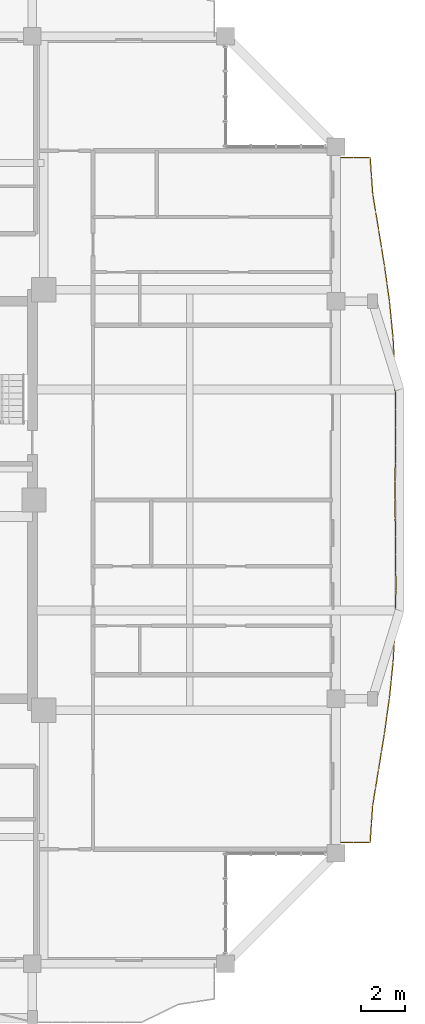
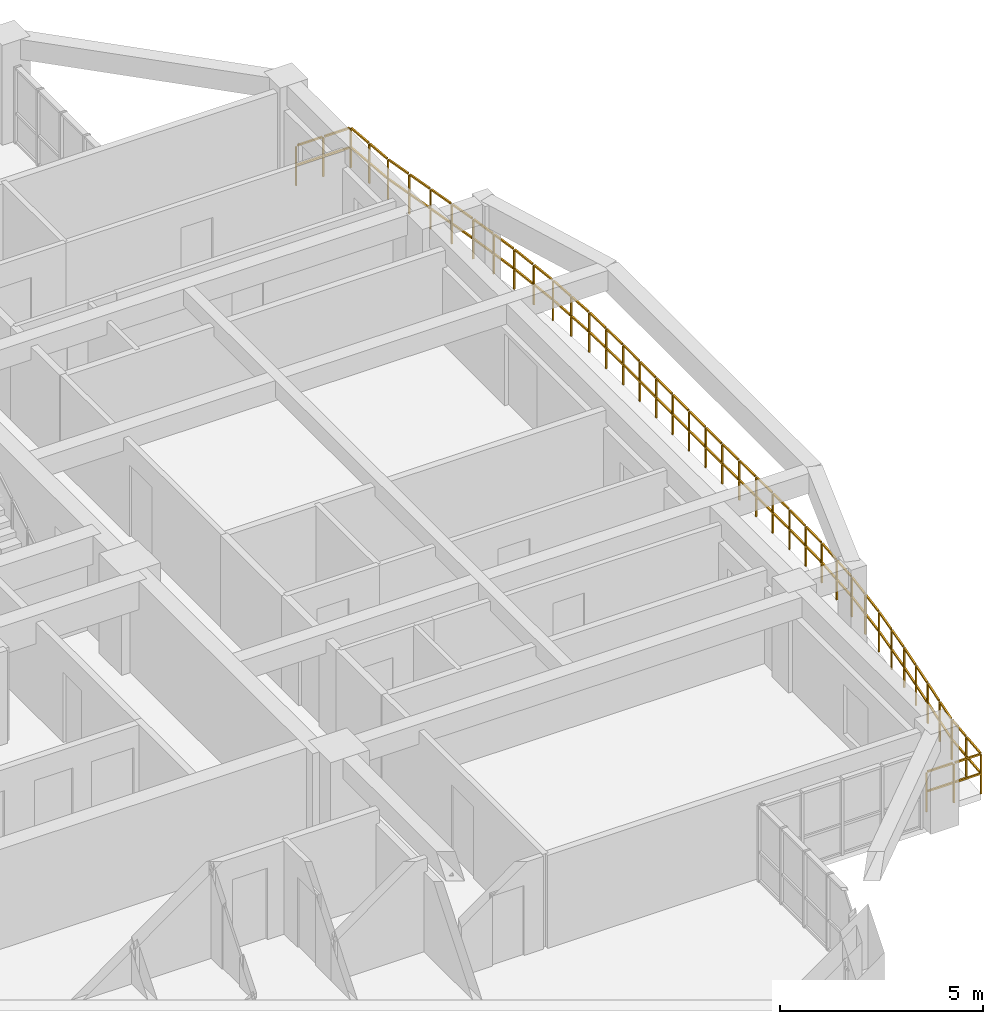
# One storey, part 20 of 21: 1 railing.
"""IFC4 building model written with IfcOpenShell, lengths in metres."""

from ifc_helpers import new_model, si_unit, direction, frame, origin, origin_2d, place, context, subcontext, project, spatial, rectangle, extrude, material, type_object, element, save


model = new_model("IFC4")

# Units and contexts
model_context = context("Model", 3, precision=1e-05, world=origin(), true_north=direction((0.0, 1.0)))
body_context = subcontext(model_context, "Body", "Model", "MODEL_VIEW")
ifc_project = project(units=[si_unit("LENGTHUNIT", "METRE"), si_unit("AREAUNIT", "SQUARE_METRE"), si_unit("VOLUMEUNIT", "CUBIC_METRE"), si_unit("PLANEANGLEUNIT", "RADIAN"), si_unit("MASSUNIT", "GRAM", prefix="KILO")], contexts=[model_context])

# Site, building, storey
site_placement = place(None, origin())
site = spatial("IfcSite", under=ifc_project, at=site_placement, CompositionType="ELEMENT")
building_placement = place(site_placement, origin())
building = spatial("IfcBuilding", under=site, at=building_placement, Name="Saelheon Loggia Tower", CompositionType="ELEMENT")
storey_placement = place(building_placement, frame((0.0, 0.0, 186.699951171875)))
storey = spatial("IfcBuildingStorey", under=building, at=storey_placement, Name="L58", CompositionType="ELEMENT", Elevation=186.699951171875)

# Railing
ifc_material = material(Name="Architectural Precast Concrete and Laminated Glass Guard", Category="concrete")
railing_type = type_object("IfcRailingType", Name="Guard_Loggia_RL_LOG", PredefinedType="BALUSTRADE", material=ifc_material)
railing_placement = place(storey_placement, frame((58.25, 11.5, 0.0)))
element("IfcRailing", 1, at=railing_placement, inside=storey, type_object=railing_type, Name="L58 East Loggia Balustrade", PredefinedType="BALUSTRADE", context=body_context, shape_type="SweptSolid", body=[
    extrude(rectangle(XDim=0.048095703125, YDim=0.048095703125, at=origin_2d()), frame((0.033203125, 0.0, 1.19580078125), z_axis=(1.0, 0.0, 0.0), x_axis=(0.0, 1.0, 0.0)), (0.0, 0.0, 1.0), 0.70849609375),
    extrude(rectangle(XDim=0.048095703125, YDim=0.048095703125, at=origin_2d()), frame((0.033203125, 0.0, 0.60986328125), z_axis=(1.0, 0.0, 0.0), x_axis=(0.0, 1.0, 0.0)), (0.0, 0.0, 1.0), 0.70849609375),
    extrude(rectangle(XDim=0.048095703125, YDim=0.048095703125, at=origin_2d()), frame((0.808349609375, 0.0, 1.19580078125), z_axis=(1.0, 0.0, 0.0), x_axis=(0.0, 1.0, 0.0)), (0.0, 0.0, 1.0), 0.70849609375),
    extrude(rectangle(XDim=0.048095703125, YDim=0.048095703125, at=origin_2d()), frame((0.808349609375, 0.0, 0.60986328125), z_axis=(1.0, 0.0, 0.0), x_axis=(0.0, 1.0, 0.0)), (0.0, 0.0, 1.0), 0.70849609375),
    extrude(rectangle(XDim=0.048095703125, YDim=0.048095703125, at=origin_2d()), frame((1.55224609375, 0.033203125, 1.19580078125), z_axis=(0.067628741853, 0.99771055586, 0.0), x_axis=(-0.99771055586, 0.067628741853, 0.0)), (0.0, 0.0, 1.0), 0.751220703125),
    extrude(rectangle(XDim=0.048095703125, YDim=0.048095703125, at=origin_2d()), frame((1.55224609375, 0.033203125, 0.60986328125), z_axis=(0.067628741853, 0.99771055586, 0.0), x_axis=(-0.99771055586, 0.067628741853, 0.0)), (0.0, 0.0, 1.0), 0.751220703125),
    extrude(rectangle(XDim=0.048095703125, YDim=0.048095703125, at=origin_2d()), frame((1.607666015625, 0.848876953125, 1.19580078125), z_axis=(0.067628741853, 0.99771055586, 0.0), x_axis=(-0.99771055586, 0.067628741853, 0.0)), (0.0, 0.0, 1.0), 0.751220703125),
    extrude(rectangle(XDim=0.048095703125, YDim=0.048095703125, at=origin_2d()), frame((1.607666015625, 0.848876953125, 0.60986328125), z_axis=(0.067628741853, 0.99771055586, 0.0), x_axis=(-0.99771055586, 0.067628741853, 0.0)), (0.0, 0.0, 1.0), 0.751220703125),
    extrude(rectangle(XDim=0.048095703125, YDim=0.048095703125, at=origin_2d()), frame((1.666015625, 1.664306640625, 1.19580078125), z_axis=(0.160110055306, 0.98709916938, 0.0), x_axis=(-0.98709916938, 0.160110055306, 0.0)), (0.0, 0.0, 1.0), 0.760009765625),
    extrude(rectangle(XDim=0.048095703125, YDim=0.048095703125, at=origin_2d()), frame((1.666015625, 1.664306640625, 0.60986328125), z_axis=(0.160110055306, 0.98709916938, 0.0), x_axis=(-0.98709916938, 0.160110055306, 0.0)), (0.0, 0.0, 1.0), 0.760009765625),
    extrude(rectangle(XDim=0.048095703125, YDim=0.048095703125, at=origin_2d()), frame((1.79833984375, 2.480224609375, 1.19580078125), z_axis=(0.160110055306, 0.98709916938, 0.0), x_axis=(-0.98709916938, 0.160110055306, 0.0)), (0.0, 0.0, 1.0), 0.760009765625),
    extrude(rectangle(XDim=0.048095703125, YDim=0.048095703125, at=origin_2d()), frame((1.79833984375, 2.480224609375, 0.60986328125), z_axis=(0.160110055306, 0.98709916938, 0.0), x_axis=(-0.98709916938, 0.160110055306, 0.0)), (0.0, 0.0, 1.0), 0.760009765625),
    extrude(rectangle(XDim=0.048095703125, YDim=0.048095703125, at=origin_2d()), frame((1.9306640625, 3.2958984375, 1.19580078125), z_axis=(0.161117220902, 0.986935277072, 0.0), x_axis=(-0.986935277072, 0.161117220902, 0.0)), (0.0, 0.0, 1.0), 0.760009765625),
    extrude(rectangle(XDim=0.048095703125, YDim=0.048095703125, at=origin_2d()), frame((1.9306640625, 3.2958984375, 0.60986328125), z_axis=(0.161117220902, 0.986935277072, 0.0), x_axis=(-0.986935277072, 0.161117220902, 0.0)), (0.0, 0.0, 1.0), 0.760009765625),
    extrude(rectangle(XDim=0.048095703125, YDim=0.048095703125, at=origin_2d()), frame((2.063720703125, 4.11181640625, 1.19580078125), z_axis=(0.161117220902, 0.986935277072, 0.0), x_axis=(-0.986935277072, 0.161117220902, 0.0)), (0.0, 0.0, 1.0), 0.760009765625),
    extrude(rectangle(XDim=0.048095703125, YDim=0.048095703125, at=origin_2d()), frame((2.063720703125, 4.11181640625, 0.60986328125), z_axis=(0.161117220902, 0.986935277072, 0.0), x_axis=(-0.986935277072, 0.161117220902, 0.0)), (0.0, 0.0, 1.0), 0.760009765625),
    extrude(rectangle(XDim=0.048095703125, YDim=0.048095703125, at=origin_2d()), frame((2.1962890625, 4.927734375, 1.19580078125), z_axis=(0.140010734184, 0.990149985766, 0.0), x_axis=(-0.990149985766, 0.140010734184, 0.0)), (0.0, 0.0, 1.0), 0.75732421875),
    extrude(rectangle(XDim=0.048095703125, YDim=0.048095703125, at=origin_2d()), frame((2.1962890625, 4.927734375, 0.60986328125), z_axis=(0.140010734184, 0.990149985766, 0.0), x_axis=(-0.990149985766, 0.140010734184, 0.0)), (0.0, 0.0, 1.0), 0.75732421875),
    extrude(rectangle(XDim=0.048095703125, YDim=0.048095703125, at=origin_2d()), frame((2.311767578125, 5.743408203125, 1.19580078125), z_axis=(0.140010734184, 0.990149985766, 0.0), x_axis=(-0.990149985766, 0.140010734184, 0.0)), (0.0, 0.0, 1.0), 0.75732421875),
    extrude(rectangle(XDim=0.048095703125, YDim=0.048095703125, at=origin_2d()), frame((2.311767578125, 5.743408203125, 0.60986328125), z_axis=(0.140010734184, 0.990149985766, 0.0), x_axis=(-0.990149985766, 0.140010734184, 0.0)), (0.0, 0.0, 1.0), 0.75732421875),
    extrude(rectangle(XDim=0.048095703125, YDim=0.048095703125, at=origin_2d()), frame((2.42578125, 6.559326171875, 1.19580078125), z_axis=(0.101228042651, 0.994863248583, 0.0), x_axis=(-0.994863248583, 0.101228042651, 0.0)), (0.0, 0.0, 1.0), 0.75341796875),
    extrude(rectangle(XDim=0.048095703125, YDim=0.048095703125, at=origin_2d()), frame((2.42578125, 6.559326171875, 0.60986328125), z_axis=(0.101228042651, 0.994863248583, 0.0), x_axis=(-0.994863248583, 0.101228042651, 0.0)), (0.0, 0.0, 1.0), 0.75341796875),
    extrude(rectangle(XDim=0.048095703125, YDim=0.048095703125, at=origin_2d()), frame((2.5087890625, 7.375244140625, 1.19580078125), z_axis=(0.101228042651, 0.994863248583, 0.0), x_axis=(-0.994863248583, 0.101228042651, 0.0)), (0.0, 0.0, 1.0), 0.75341796875),
    extrude(rectangle(XDim=0.048095703125, YDim=0.048095703125, at=origin_2d()), frame((2.5087890625, 7.375244140625, 0.60986328125), z_axis=(0.101228042651, 0.994863248583, 0.0), x_axis=(-0.994863248583, 0.101228042651, 0.0)), (0.0, 0.0, 1.0), 0.75341796875),
    extrude(rectangle(XDim=0.048095703125, YDim=0.048095703125, at=origin_2d()), frame((2.59033203125, 8.191162109375, 1.19580078125), z_axis=(0.056024393999, 0.998429400247, 0.0), x_axis=(-0.998429400247, 0.056024393999, 0.0)), (0.0, 0.0, 1.0), 0.750732421875),
    extrude(rectangle(XDim=0.048095703125, YDim=0.048095703125, at=origin_2d()), frame((2.59033203125, 8.191162109375, 0.60986328125), z_axis=(0.056024393999, 0.998429400247, 0.0), x_axis=(-0.998429400247, 0.056024393999, 0.0)), (0.0, 0.0, 1.0), 0.750732421875),
    extrude(rectangle(XDim=0.048095703125, YDim=0.048095703125, at=origin_2d()), frame((2.635986328125, 9.0068359375, 1.19580078125), z_axis=(0.056024393999, 0.998429400247, 0.0), x_axis=(-0.998429400247, 0.056024393999, 0.0)), (0.0, 0.0, 1.0), 0.750732421875),
    extrude(rectangle(XDim=0.048095703125, YDim=0.048095703125, at=origin_2d()), frame((2.635986328125, 9.0068359375, 0.60986328125), z_axis=(0.056024393999, 0.998429400247, 0.0), x_axis=(-0.998429400247, 0.056024393999, 0.0)), (0.0, 0.0, 1.0), 0.750732421875),
    extrude(rectangle(XDim=0.048095703125, YDim=0.048095703125, at=origin_2d()), frame((2.680419921875, 9.82275390625, 1.19580078125), z_axis=(0.017354860032, 0.999849393075, 0.0), x_axis=(-0.999849393075, 0.017354860032, 0.0)), (0.0, 0.0, 1.0), 0.74951171875),
    extrude(rectangle(XDim=0.048095703125, YDim=0.048095703125, at=origin_2d()), frame((2.680419921875, 9.82275390625, 0.60986328125), z_axis=(0.017354860032, 0.999849393075, 0.0), x_axis=(-0.999849393075, 0.017354860032, 0.0)), (0.0, 0.0, 1.0), 0.74951171875),
    extrude(rectangle(XDim=0.048095703125, YDim=0.048095703125, at=origin_2d()), frame((2.694580078125, 10.638671875, 1.19580078125), z_axis=(0.017354860032, 0.999849393075, 0.0), x_axis=(-0.999849393075, 0.017354860032, 0.0)), (0.0, 0.0, 1.0), 0.74951171875),
    extrude(rectangle(XDim=0.048095703125, YDim=0.048095703125, at=origin_2d()), frame((2.694580078125, 10.638671875, 0.60986328125), z_axis=(0.017354860032, 0.999849393075, 0.0), x_axis=(-0.999849393075, 0.017354860032, 0.0)), (0.0, 0.0, 1.0), 0.74951171875),
    extrude(rectangle(XDim=0.048095703125, YDim=0.048095703125, at=origin_2d()), frame((2.7080078125, 11.454345703125, 1.19580078125), z_axis=(-0.005237880856, 0.999986282208, 0.0), x_axis=(-0.999986282208, -0.005237880856, 0.0)), (0.0, 0.0, 1.0), 0.749267578125),
    extrude(rectangle(XDim=0.048095703125, YDim=0.048095703125, at=origin_2d()), frame((2.7080078125, 11.454345703125, 0.60986328125), z_axis=(-0.005237880856, 0.999986282208, 0.0), x_axis=(-0.999986282208, -0.005237880856, 0.0)), (0.0, 0.0, 1.0), 0.749267578125),
    extrude(rectangle(XDim=0.048095703125, YDim=0.048095703125, at=origin_2d()), frame((2.703857421875, 12.27001953125, 1.19580078125), z_axis=(-0.005237880856, 0.999986282208, 0.0), x_axis=(-0.999986282208, -0.005237880856, 0.0)), (0.0, 0.0, 1.0), 0.749267578125),
    extrude(rectangle(XDim=0.048095703125, YDim=0.048095703125, at=origin_2d()), frame((2.703857421875, 12.27001953125, 0.60986328125), z_axis=(-0.005237880856, 0.999986282208, 0.0), x_axis=(-0.999986282208, -0.005237880856, 0.0)), (0.0, 0.0, 1.0), 0.749267578125),
    extrude(rectangle(XDim=0.048095703125, YDim=0.048095703125, at=origin_2d()), frame((2.699462890625, 13.085693359375, 1.19580078125), z_axis=(-0.009725710874, 0.999952704156, 0.0), x_axis=(-0.999952704156, -0.009725710874, 0.0)), (0.0, 0.0, 1.0), 0.749267578125),
    extrude(rectangle(XDim=0.048095703125, YDim=0.048095703125, at=origin_2d()), frame((2.699462890625, 13.085693359375, 0.60986328125), z_axis=(-0.009725710874, 0.999952704156, 0.0), x_axis=(-0.999952704156, -0.009725710874, 0.0)), (0.0, 0.0, 1.0), 0.749267578125),
    extrude(rectangle(XDim=0.048095703125, YDim=0.048095703125, at=origin_2d()), frame((2.69140625, 13.901611328125, 1.19580078125), z_axis=(-0.009725710874, 0.999952704156, 0.0), x_axis=(-0.999952704156, -0.009725710874, 0.0)), (0.0, 0.0, 1.0), 0.749267578125),
    extrude(rectangle(XDim=0.048095703125, YDim=0.048095703125, at=origin_2d()), frame((2.69140625, 13.901611328125, 0.60986328125), z_axis=(-0.009725710874, 0.999952704156, 0.0), x_axis=(-0.999952704156, -0.009725710874, 0.0)), (0.0, 0.0, 1.0), 0.749267578125),
    extrude(rectangle(XDim=0.048095703125, YDim=0.048095703125, at=origin_2d()), frame((2.683837890625, 14.71728515625, 1.19580078125), z_axis=(-0.001944939469, 0.999998108603, 0.0), x_axis=(-0.999998108603, -0.001944939469, 0.0)), (0.0, 0.0, 1.0), 0.74951171875),
    extrude(rectangle(XDim=0.048095703125, YDim=0.048095703125, at=origin_2d()), frame((2.683837890625, 14.71728515625, 0.60986328125), z_axis=(-0.001944939469, 0.999998108603, 0.0), x_axis=(-0.999998108603, -0.001944939469, 0.0)), (0.0, 0.0, 1.0), 0.74951171875),
    extrude(rectangle(XDim=0.048095703125, YDim=0.048095703125, at=origin_2d()), frame((2.68212890625, 15.533203125, 1.19580078125), z_axis=(-0.001944939469, 0.999998108603, 0.0), x_axis=(-0.999998108603, -0.001944939469, 0.0)), (0.0, 0.0, 1.0), 0.74951171875),
    extrude(rectangle(XDim=0.048095703125, YDim=0.048095703125, at=origin_2d()), frame((2.68212890625, 15.533203125, 0.60986328125), z_axis=(-0.001944939469, 0.999998108603, 0.0), x_axis=(-0.999998108603, -0.001944939469, 0.0)), (0.0, 0.0, 1.0), 0.74951171875),
    extrude(rectangle(XDim=0.048095703125, YDim=0.048095703125, at=origin_2d()), frame((2.680908203125, 16.34912109375, 1.19580078125), z_axis=(0.006583726828, 0.999978327036, 0.0), x_axis=(-0.999978327036, 0.006583726828, 0.0)), (0.0, 0.0, 1.0), 0.749267578125),
    extrude(rectangle(XDim=0.048095703125, YDim=0.048095703125, at=origin_2d()), frame((2.680908203125, 16.34912109375, 0.60986328125), z_axis=(0.006583726828, 0.999978327036, 0.0), x_axis=(-0.999978327036, 0.006583726828, 0.0)), (0.0, 0.0, 1.0), 0.749267578125),
    extrude(rectangle(XDim=0.048095703125, YDim=0.048095703125, at=origin_2d()), frame((2.686279296875, 17.1650390625, 1.19580078125), z_axis=(0.006583726828, 0.999978327036, 0.0), x_axis=(-0.999978327036, 0.006583726828, 0.0)), (0.0, 0.0, 1.0), 0.749267578125),
    extrude(rectangle(XDim=0.048095703125, YDim=0.048095703125, at=origin_2d()), frame((2.686279296875, 17.1650390625, 0.60986328125), z_axis=(0.006583726828, 0.999978327036, 0.0), x_axis=(-0.999978327036, 0.006583726828, 0.0)), (0.0, 0.0, 1.0), 0.749267578125),
    extrude(rectangle(XDim=0.048095703125, YDim=0.048095703125, at=origin_2d()), frame((2.691650390625, 17.980712890625, 1.19580078125), z_axis=(0.004339977086, 0.999990582255, 0.0), x_axis=(-0.999990582255, 0.004339977086, 0.0)), (0.0, 0.0, 1.0), 0.749267578125),
    extrude(rectangle(XDim=0.048095703125, YDim=0.048095703125, at=origin_2d()), frame((2.691650390625, 17.980712890625, 0.60986328125), z_axis=(0.004339977086, 0.999990582255, 0.0), x_axis=(-0.999990582255, 0.004339977086, 0.0)), (0.0, 0.0, 1.0), 0.749267578125),
    extrude(rectangle(XDim=0.048095703125, YDim=0.048095703125, at=origin_2d()), frame((2.695068359375, 18.79638671875, 1.19580078125), z_axis=(0.004339977086, 0.999990582255, 0.0), x_axis=(-0.999990582255, 0.004339977086, 0.0)), (0.0, 0.0, 1.0), 0.749267578125),
    extrude(rectangle(XDim=0.048095703125, YDim=0.048095703125, at=origin_2d()), frame((2.695068359375, 18.79638671875, 0.60986328125), z_axis=(0.004339977086, 0.999990582255, 0.0), x_axis=(-0.999990582255, 0.004339977086, 0.0)), (0.0, 0.0, 1.0), 0.749267578125),
    extrude(rectangle(XDim=0.048095703125, YDim=0.048095703125, at=origin_2d()), frame((2.697998046875, 19.612060546875, 1.19580078125), z_axis=(-0.015859145444, 0.999874235845, 0.0), x_axis=(-0.999874235845, -0.015859145444, 0.0)), (0.0, 0.0, 1.0), 0.74951171875),
    extrude(rectangle(XDim=0.048095703125, YDim=0.048095703125, at=origin_2d()), frame((2.697998046875, 19.612060546875, 0.60986328125), z_axis=(-0.015859145444, 0.999874235845, 0.0), x_axis=(-0.999874235845, -0.015859145444, 0.0)), (0.0, 0.0, 1.0), 0.74951171875),
    extrude(rectangle(XDim=0.048095703125, YDim=0.048095703125, at=origin_2d()), frame((2.68505859375, 20.427978515625, 1.19580078125), z_axis=(-0.015859145444, 0.999874235845, 0.0), x_axis=(-0.999874235845, -0.015859145444, 0.0)), (0.0, 0.0, 1.0), 0.74951171875),
    extrude(rectangle(XDim=0.048095703125, YDim=0.048095703125, at=origin_2d()), frame((2.68505859375, 20.427978515625, 0.60986328125), z_axis=(-0.015859145444, 0.999874235845, 0.0), x_axis=(-0.999874235845, -0.015859145444, 0.0)), (0.0, 0.0, 1.0), 0.74951171875),
    extrude(rectangle(XDim=0.048095703125, YDim=0.048095703125, at=origin_2d()), frame((2.6708984375, 21.24365234375, 1.19580078125), z_axis=(-0.052598047159, 0.998615764664, 0.0), x_axis=(-0.998615764664, -0.052598047159, 0.0)), (0.0, 0.0, 1.0), 0.75048828125),
    extrude(rectangle(XDim=0.048095703125, YDim=0.048095703125, at=origin_2d()), frame((2.6708984375, 21.24365234375, 0.60986328125), z_axis=(-0.052598047159, 0.998615764664, 0.0), x_axis=(-0.998615764664, -0.052598047159, 0.0)), (0.0, 0.0, 1.0), 0.75048828125),
    extrude(rectangle(XDim=0.048095703125, YDim=0.048095703125, at=origin_2d()), frame((2.6279296875, 22.059326171875, 1.19580078125), z_axis=(-0.052598047159, 0.998615764664, 0.0), x_axis=(-0.998615764664, -0.052598047159, 0.0)), (0.0, 0.0, 1.0), 0.75048828125),
    extrude(rectangle(XDim=0.048095703125, YDim=0.048095703125, at=origin_2d()), frame((2.6279296875, 22.059326171875, 0.60986328125), z_axis=(-0.052598047159, 0.998615764664, 0.0), x_axis=(-0.998615764664, -0.052598047159, 0.0)), (0.0, 0.0, 1.0), 0.75048828125),
    extrude(rectangle(XDim=0.048095703125, YDim=0.048095703125, at=origin_2d()), frame((2.58349609375, 22.875, 1.19580078125), z_axis=(-0.097542502009, 0.995231360188, 0.0), x_axis=(-0.995231360188, -0.097542502009, 0.0)), (0.0, 0.0, 1.0), 0.753173828125),
    extrude(rectangle(XDim=0.048095703125, YDim=0.048095703125, at=origin_2d()), frame((2.58349609375, 22.875, 0.60986328125), z_axis=(-0.097542502009, 0.995231360188, 0.0), x_axis=(-0.995231360188, -0.097542502009, 0.0)), (0.0, 0.0, 1.0), 0.753173828125),
    extrude(rectangle(XDim=0.048095703125, YDim=0.048095703125, at=origin_2d()), frame((2.50341796875, 23.69091796875, 1.19580078125), z_axis=(-0.097542502009, 0.995231360188, 0.0), x_axis=(-0.995231360188, -0.097542502009, 0.0)), (0.0, 0.0, 1.0), 0.753173828125),
    extrude(rectangle(XDim=0.048095703125, YDim=0.048095703125, at=origin_2d()), frame((2.50341796875, 23.69091796875, 0.60986328125), z_axis=(-0.097542502009, 0.995231360188, 0.0), x_axis=(-0.995231360188, -0.097542502009, 0.0)), (0.0, 0.0, 1.0), 0.753173828125),
    extrude(rectangle(XDim=0.048095703125, YDim=0.048095703125, at=origin_2d()), frame((2.422119140625, 24.506591796875, 1.19580078125), z_axis=(-0.137394685749, 0.990516380646, 0.0), x_axis=(-0.990516380646, -0.137394685749, 0.0)), (0.0, 0.0, 1.0), 0.757080078125),
    extrude(rectangle(XDim=0.048095703125, YDim=0.048095703125, at=origin_2d()), frame((2.422119140625, 24.506591796875, 0.60986328125), z_axis=(-0.137394685749, 0.990516380646, 0.0), x_axis=(-0.990516380646, -0.137394685749, 0.0)), (0.0, 0.0, 1.0), 0.757080078125),
    extrude(rectangle(XDim=0.048095703125, YDim=0.048095703125, at=origin_2d()), frame((2.30908203125, 25.322265625, 1.19580078125), z_axis=(-0.137394685749, 0.990516380646, 0.0), x_axis=(-0.990516380646, -0.137394685749, 0.0)), (0.0, 0.0, 1.0), 0.757080078125),
    extrude(rectangle(XDim=0.048095703125, YDim=0.048095703125, at=origin_2d()), frame((2.30908203125, 25.322265625, 0.60986328125), z_axis=(-0.137394685749, 0.990516380646, 0.0), x_axis=(-0.990516380646, -0.137394685749, 0.0)), (0.0, 0.0, 1.0), 0.757080078125),
    extrude(rectangle(XDim=0.048095703125, YDim=0.048095703125, at=origin_2d()), frame((2.195068359375, 26.137939453125, 1.19580078125), z_axis=(-0.160685639946, 0.987005635807, 0.0), x_axis=(-0.987005635807, -0.160685639946, 0.0)), (0.0, 0.0, 1.0), 0.760009765625),
    extrude(rectangle(XDim=0.048095703125, YDim=0.048095703125, at=origin_2d()), frame((2.195068359375, 26.137939453125, 0.60986328125), z_axis=(-0.160685639946, 0.987005635807, 0.0), x_axis=(-0.987005635807, -0.160685639946, 0.0)), (0.0, 0.0, 1.0), 0.760009765625),
    extrude(rectangle(XDim=0.048095703125, YDim=0.048095703125, at=origin_2d()), frame((2.062255859375, 26.953857421875, 1.19580078125), z_axis=(-0.160685639946, 0.987005635807, 0.0), x_axis=(-0.987005635807, -0.160685639946, 0.0)), (0.0, 0.0, 1.0), 0.760009765625),
    extrude(rectangle(XDim=0.048095703125, YDim=0.048095703125, at=origin_2d()), frame((2.062255859375, 26.953857421875, 0.60986328125), z_axis=(-0.160685639946, 0.987005635807, 0.0), x_axis=(-0.987005635807, -0.160685639946, 0.0)), (0.0, 0.0, 1.0), 0.760009765625),
    extrude(rectangle(XDim=0.048095703125, YDim=0.048095703125, at=origin_2d()), frame((1.929443359375, 27.76953125, 1.19580078125), z_axis=(-0.161980105363, 0.98679402383, 0.0), x_axis=(-0.98679402383, -0.161980105363, 0.0)), (0.0, 0.0, 1.0), 0.76025390625),
    extrude(rectangle(XDim=0.048095703125, YDim=0.048095703125, at=origin_2d()), frame((1.929443359375, 27.76953125, 0.60986328125), z_axis=(-0.161980105363, 0.98679402383, 0.0), x_axis=(-0.98679402383, -0.161980105363, 0.0)), (0.0, 0.0, 1.0), 0.76025390625),
    extrude(rectangle(XDim=0.048095703125, YDim=0.048095703125, at=origin_2d()), frame((1.79541015625, 28.58544921875, 1.19580078125), z_axis=(-0.161980105363, 0.98679402383, 0.0), x_axis=(-0.98679402383, -0.161980105363, 0.0)), (0.0, 0.0, 1.0), 0.76025390625),
    extrude(rectangle(XDim=0.048095703125, YDim=0.048095703125, at=origin_2d()), frame((1.79541015625, 28.58544921875, 0.60986328125), z_axis=(-0.161980105363, 0.98679402383, 0.0), x_axis=(-0.98679402383, -0.161980105363, 0.0)), (0.0, 0.0, 1.0), 0.76025390625),
    extrude(rectangle(XDim=0.048095703125, YDim=0.048095703125, at=origin_2d()), frame((1.66455078125, 29.401611328125, 1.19580078125), z_axis=(-0.071491000488, 0.997441244811, 0.0), x_axis=(-0.997441244811, -0.071491000488, 0.0)), (0.0, 0.0, 1.0), 0.75146484375),
    extrude(rectangle(XDim=0.048095703125, YDim=0.048095703125, at=origin_2d()), frame((1.66455078125, 29.401611328125, 0.60986328125), z_axis=(-0.071491000488, 0.997441244811, 0.0), x_axis=(-0.997441244811, -0.071491000488, 0.0)), (0.0, 0.0, 1.0), 0.75146484375),
    extrude(rectangle(XDim=0.048095703125, YDim=0.048095703125, at=origin_2d()), frame((1.606201171875, 30.21728515625, 1.19580078125), z_axis=(-0.071491000488, 0.997441244811, 0.0), x_axis=(-0.997441244811, -0.071491000488, 0.0)), (0.0, 0.0, 1.0), 0.75146484375),
    extrude(rectangle(XDim=0.048095703125, YDim=0.048095703125, at=origin_2d()), frame((1.606201171875, 30.21728515625, 0.60986328125), z_axis=(-0.071491000488, 0.997441244811, 0.0), x_axis=(-0.997441244811, -0.071491000488, 0.0)), (0.0, 0.0, 1.0), 0.75146484375),
    extrude(rectangle(XDim=0.048095703125, YDim=0.048095703125, at=origin_2d()), frame((1.516845703125, 31.0, 1.19580078125), z_axis=(-1.0, 0.0, 0.0), x_axis=(0.0, -1.0, 0.0)), (0.0, 0.0, 1.0), 0.70849609375),
    extrude(rectangle(XDim=0.048095703125, YDim=0.048095703125, at=origin_2d()), frame((1.516845703125, 31.0, 0.60986328125), z_axis=(-1.0, 0.0, 0.0), x_axis=(0.0, -1.0, 0.0)), (0.0, 0.0, 1.0), 0.70849609375),
    extrude(rectangle(XDim=0.048095703125, YDim=0.048095703125, at=origin_2d()), frame((0.74169921875, 31.0, 1.19580078125), z_axis=(-1.0, 0.0, 0.0), x_axis=(0.0, -1.0, 0.0)), (0.0, 0.0, 1.0), 0.70849609375),
    extrude(rectangle(XDim=0.048095703125, YDim=0.048095703125, at=origin_2d()), frame((0.74169921875, 31.0, 0.60986328125), z_axis=(-1.0, 0.0, 0.0), x_axis=(0.0, -1.0, 0.0)), (0.0, 0.0, 1.0), 0.70849609375),
    extrude(rectangle(XDim=0.0419921875, YDim=0.0419921875, at=origin_2d()), origin(), (0.0, 0.0, 1.0), 1.16796875),
    extrude(rectangle(XDim=0.0419921875, YDim=0.0419921875, at=origin_2d()), frame((0.77490234375, 0.0, 0.0)), (0.0, 0.0, 1.0), 1.16796875),
    extrude(rectangle(XDim=0.0419921875, YDim=0.0419921875, at=origin_2d()), frame((1.550048828125, 0.0, 0.0)), (0.0, 0.0, 1.0), 1.16796875),
    extrude(rectangle(XDim=0.0419921875, YDim=0.0419921875, at=origin_2d()), frame((1.60546875, 0.81591796875, 0.0)), (0.0, 0.0, 1.0), 1.16796875),
    extrude(rectangle(XDim=0.0419921875, YDim=0.0419921875, at=origin_2d()), frame((1.66064453125, 1.631591796875, 0.0)), (0.0, 0.0, 1.0), 1.16796875),
    extrude(rectangle(XDim=0.0419921875, YDim=0.0419921875, at=origin_2d()), frame((1.79296875, 2.447265625, 0.0)), (0.0, 0.0, 1.0), 1.16796875),
    extrude(rectangle(XDim=0.0419921875, YDim=0.0419921875, at=origin_2d()), frame((1.92529296875, 3.26318359375, 0.0)), (0.0, 0.0, 1.0), 1.16796875),
    extrude(rectangle(XDim=0.0419921875, YDim=0.0419921875, at=origin_2d()), frame((2.05859375, 4.0791015625, 0.0)), (0.0, 0.0, 1.0), 1.16796875),
    extrude(rectangle(XDim=0.0419921875, YDim=0.0419921875, at=origin_2d()), frame((2.191650390625, 4.894775390625, 0.0)), (0.0, 0.0, 1.0), 1.16796875),
    extrude(rectangle(XDim=0.0419921875, YDim=0.0419921875, at=origin_2d()), frame((2.30712890625, 5.71044921875, 0.0)), (0.0, 0.0, 1.0), 1.16796875),
    extrude(rectangle(XDim=0.0419921875, YDim=0.0419921875, at=origin_2d()), frame((2.42236328125, 6.5263671875, 0.0)), (0.0, 0.0, 1.0), 1.16796875),
    extrude(rectangle(XDim=0.0419921875, YDim=0.0419921875, at=origin_2d()), frame((2.50537109375, 7.34228515625, 0.0)), (0.0, 0.0, 1.0), 1.16796875),
    extrude(rectangle(XDim=0.0419921875, YDim=0.0419921875, at=origin_2d()), frame((2.58837890625, 8.157958984375, 0.0)), (0.0, 0.0, 1.0), 1.16796875),
    extrude(rectangle(XDim=0.0419921875, YDim=0.0419921875, at=origin_2d()), frame((2.63427734375, 8.9736328125, 0.0)), (0.0, 0.0, 1.0), 1.16796875),
    extrude(rectangle(XDim=0.0419921875, YDim=0.0419921875, at=origin_2d()), frame((2.679931640625, 9.78955078125, 0.0)), (0.0, 0.0, 1.0), 1.16796875),
    extrude(rectangle(XDim=0.0419921875, YDim=0.0419921875, at=origin_2d()), frame((2.694091796875, 10.60546875, 0.0)), (0.0, 0.0, 1.0), 1.16796875),
    extrude(rectangle(XDim=0.0419921875, YDim=0.0419921875, at=origin_2d()), frame((2.708251953125, 11.421142578125, 0.0)), (0.0, 0.0, 1.0), 1.16796875),
    extrude(rectangle(XDim=0.0419921875, YDim=0.0419921875, at=origin_2d()), frame((2.7041015625, 12.23681640625, 0.0)), (0.0, 0.0, 1.0), 1.16796875),
    extrude(rectangle(XDim=0.0419921875, YDim=0.0419921875, at=origin_2d()), frame((2.69970703125, 13.052490234375, 0.0)), (0.0, 0.0, 1.0), 1.16796875),
    extrude(rectangle(XDim=0.0419921875, YDim=0.0419921875, at=origin_2d()), frame((2.69189453125, 13.8681640625, 0.0)), (0.0, 0.0, 1.0), 1.16796875),
    extrude(rectangle(XDim=0.0419921875, YDim=0.0419921875, at=origin_2d()), frame((2.683837890625, 14.68408203125, 0.0)), (0.0, 0.0, 1.0), 1.16796875),
    extrude(rectangle(XDim=0.0419921875, YDim=0.0419921875, at=origin_2d()), frame((2.68212890625, 15.5, 0.0)), (0.0, 0.0, 1.0), 1.16796875),
    extrude(rectangle(XDim=0.0419921875, YDim=0.0419921875, at=origin_2d()), frame((2.6806640625, 16.31591796875, 0.0)), (0.0, 0.0, 1.0), 1.16796875),
    extrude(rectangle(XDim=0.0419921875, YDim=0.0419921875, at=origin_2d()), frame((2.68603515625, 17.1318359375, 0.0)), (0.0, 0.0, 1.0), 1.16796875),
    extrude(rectangle(XDim=0.0419921875, YDim=0.0419921875, at=origin_2d()), frame((2.69140625, 17.947509765625, 0.0)), (0.0, 0.0, 1.0), 1.16796875),
    extrude(rectangle(XDim=0.0419921875, YDim=0.0419921875, at=origin_2d()), frame((2.69482421875, 18.76318359375, 0.0)), (0.0, 0.0, 1.0), 1.16796875),
    extrude(rectangle(XDim=0.0419921875, YDim=0.0419921875, at=origin_2d()), frame((2.698486328125, 19.578857421875, 0.0)), (0.0, 0.0, 1.0), 1.16796875),
    extrude(rectangle(XDim=0.0419921875, YDim=0.0419921875, at=origin_2d()), frame((2.685546875, 20.39453125, 0.0)), (0.0, 0.0, 1.0), 1.16796875),
    extrude(rectangle(XDim=0.0419921875, YDim=0.0419921875, at=origin_2d()), frame((2.672607421875, 21.21044921875, 0.0)), (0.0, 0.0, 1.0), 1.16796875),
    extrude(rectangle(XDim=0.0419921875, YDim=0.0419921875, at=origin_2d()), frame((2.629638671875, 22.0263671875, 0.0)), (0.0, 0.0, 1.0), 1.16796875),
    extrude(rectangle(XDim=0.0419921875, YDim=0.0419921875, at=origin_2d()), frame((2.586669921875, 22.842041015625, 0.0)), (0.0, 0.0, 1.0), 1.16796875),
    extrude(rectangle(XDim=0.0419921875, YDim=0.0419921875, at=origin_2d()), frame((2.5068359375, 23.65771484375, 0.0)), (0.0, 0.0, 1.0), 1.16796875),
    extrude(rectangle(XDim=0.0419921875, YDim=0.0419921875, at=origin_2d()), frame((2.4267578125, 24.4736328125, 0.0)), (0.0, 0.0, 1.0), 1.16796875),
    extrude(rectangle(XDim=0.0419921875, YDim=0.0419921875, at=origin_2d()), frame((2.3134765625, 25.28955078125, 0.0)), (0.0, 0.0, 1.0), 1.16796875),
    extrude(rectangle(XDim=0.0419921875, YDim=0.0419921875, at=origin_2d()), frame((2.200439453125, 26.105224609375, 0.0)), (0.0, 0.0, 1.0), 1.16796875),
    extrude(rectangle(XDim=0.0419921875, YDim=0.0419921875, at=origin_2d()), frame((2.067626953125, 26.9208984375, 0.0)), (0.0, 0.0, 1.0), 1.16796875),
    extrude(rectangle(XDim=0.0419921875, YDim=0.0419921875, at=origin_2d()), frame((1.934814453125, 27.73681640625, 0.0)), (0.0, 0.0, 1.0), 1.16796875),
    extrude(rectangle(XDim=0.0419921875, YDim=0.0419921875, at=origin_2d()), frame((1.80078125, 28.552734375, 0.0)), (0.0, 0.0, 1.0), 1.16796875),
    extrude(rectangle(XDim=0.0419921875, YDim=0.0419921875, at=origin_2d()), frame((1.6669921875, 29.368408203125, 0.0)), (0.0, 0.0, 1.0), 1.16796875),
    extrude(rectangle(XDim=0.0419921875, YDim=0.0419921875, at=origin_2d()), frame((1.6083984375, 30.18408203125, 0.0)), (0.0, 0.0, 1.0), 1.16796875),
    extrude(rectangle(XDim=0.0419921875, YDim=0.0419921875, at=origin_2d()), frame((1.550048828125, 31.0, 0.0)), (0.0, 0.0, 1.0), 1.16796875),
    extrude(rectangle(XDim=0.0419921875, YDim=0.0419921875, at=origin_2d()), frame((0.77490234375, 31.0, 0.0)), (0.0, 0.0, 1.0), 1.16796875),
    extrude(rectangle(XDim=0.0419921875, YDim=0.0419921875, at=origin_2d()), frame((0.0, 31.0, 0.0)), (0.0, 0.0, 1.0), 1.16796875),
])

save(model, "model.ifc")
